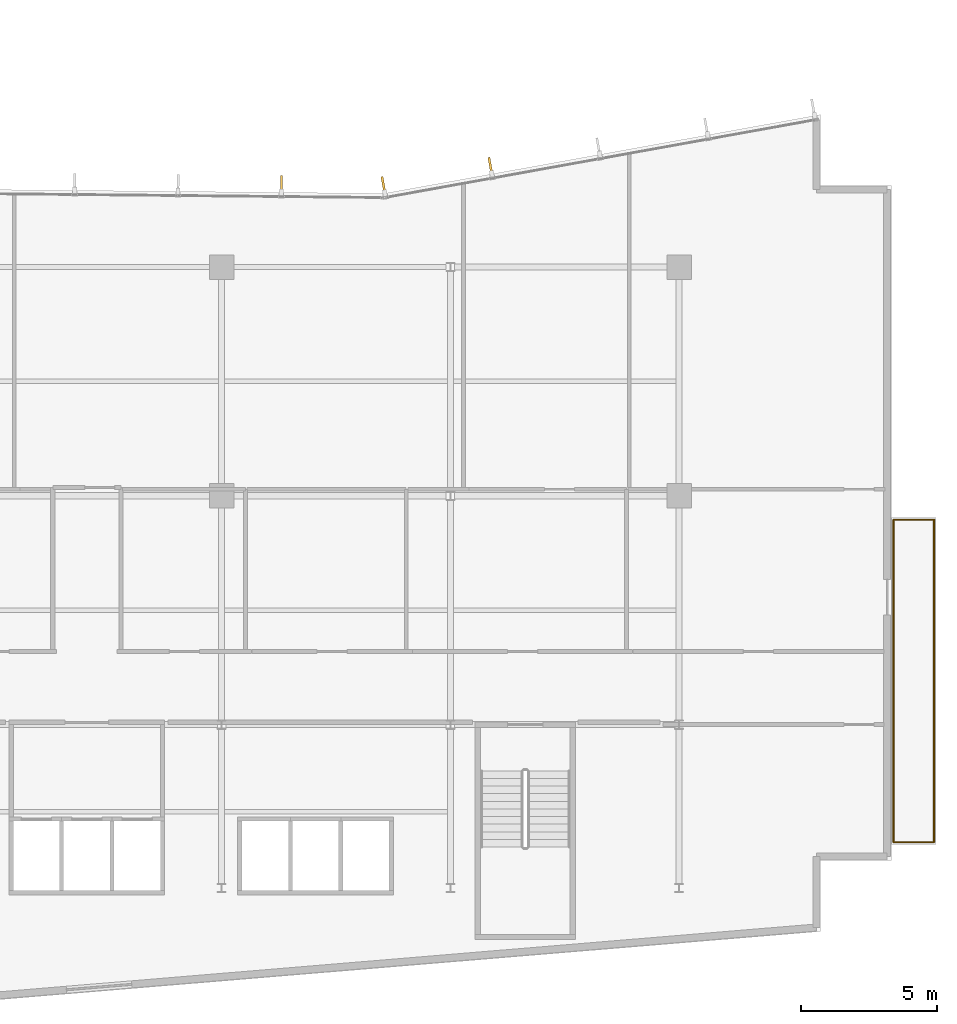
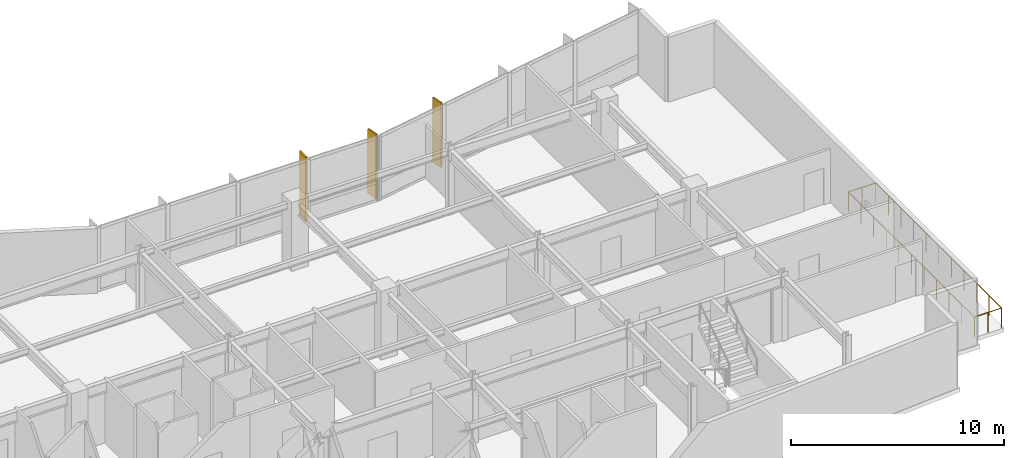
# One storey, part 16 of 18: 4 railings, 3 shading devices.
"""IFC4 building model written with IfcOpenShell, lengths in metres."""

import ifcopenshell
import ifcopenshell.guid

model = None  # the IFC model being written
_history = None  # IfcOwnerHistory: only IFC2X3 demands one
_inside = {}  # id of a spatial element -> (the spatial element, [elements in it])
_under = {}  # id of a project, library or spatial element -> (it, [spatial elements below it])
_declared = {}  # id of a project -> (the project, [libraries it declares])
_typed = {}  # id of a type object -> (the type object, [elements of that type])
_made_of = {}  # id of a material, layer set ... -> (it, [elements and type objects made of it])


def new_model(schema):
    """Start an empty IFC model of exactly this schema.

    Asked for "IFC4X3", IfcOpenShell would pick the latest addendum, in which some entities
    have other attributes; the version numbers below select the first issue.
    IFC2X3 requires an IfcOwnerHistory on every rooted entity: one is made here for all.
    """
    global model, _history
    if schema == "IFC4X3":
        model = ifcopenshell.file(schema_version=(4, 3, 0, 0))
    else:
        model = ifcopenshell.file(schema=schema)
    _inside.clear()
    _under.clear()
    _declared.clear()
    _typed.clear()
    _made_of.clear()
    _history = None
    if model.schema == "IFC2X3":
        org = make("IfcOrganization", Name="unknown")
        user = make(
            "IfcPersonAndOrganization",
            ThePerson=make("IfcPerson", FamilyName="unknown"),
            TheOrganization=org,
        )
        app = make(
            "IfcApplication",
            ApplicationDeveloper=org,
            Version="unknown",
            ApplicationFullName="unknown",
            ApplicationIdentifier="unknown",
        )
        _history = make(
            "IfcOwnerHistory",
            OwningUser=user,
            OwningApplication=app,
            ChangeAction="ADDED",
            CreationDate=0,
        )
    return model


def make(cls, **values):
    """One entity of the class cls with the attributes given. An attribute that is None is left unset."""
    return model.create_entity(
        cls, **{name: value for name, value in values.items() if value is not None}
    )


def rooted(cls, **values):
    """An entity with a GlobalId (a new one), such as an element, a storey or a relation."""
    return make(cls, GlobalId=ifcopenshell.guid.new(), OwnerHistory=_history, **values)


def si_unit(unit_type, name, prefix=None):
    """IfcSIUnit, for example si_unit("LENGTHUNIT", "METRE", prefix="MILLI")."""
    return make("IfcSIUnit", UnitType=unit_type, Prefix=prefix, Name=name)


def assignment(units):
    """IfcUnitAssignment: the units of a project."""
    return None if units is None else make("IfcUnitAssignment", Units=units)


def point(xyz):
    """IfcCartesianPoint."""
    return None if xyz is None else make("IfcCartesianPoint", Coordinates=xyz)


def direction(xyz):
    """IfcDirection."""
    return None if xyz is None else make("IfcDirection", DirectionRatios=xyz)


def frame(location, z_axis=None, x_axis=None):
    """IfcAxis2Placement3D, a coordinate frame: its origin and axes. An axis left out is left unset."""
    return make(
        "IfcAxis2Placement3D",
        Location=point(location),
        Axis=direction(z_axis),
        RefDirection=direction(x_axis),
    )


def frame_2d(location, x_axis=None):
    """IfcAxis2Placement2D, a coordinate frame in the plane: its origin and x axis."""
    return make(
        "IfcAxis2Placement2D", Location=point(location), RefDirection=direction(x_axis)
    )


def origin():
    """The frame at (0, 0, 0) with its axes left unset."""
    return frame((0.0, 0.0, 0.0))


def origin_2d():
    """The frame at (0, 0) in the plane with its x axis left unset."""
    return frame_2d((0.0, 0.0))


def place(relative_to, where):
    """IfcLocalPlacement: puts the frame where relative to a parent placement (None: the world)."""
    return make(
        "IfcLocalPlacement", PlacementRelTo=relative_to, RelativePlacement=where
    )


def context(
    kind, dimensions, precision=None, world=None, true_north=None, identifier=None
):
    """IfcGeometricRepresentationContext, for example the 3D "Model" context."""
    return make(
        "IfcGeometricRepresentationContext",
        ContextIdentifier=identifier,
        ContextType=kind,
        CoordinateSpaceDimension=dimensions,
        Precision=precision,
        WorldCoordinateSystem=world,
        TrueNorth=true_north,
    )


def subcontext(parent, identifier, kind, view, scale=None):
    """IfcGeometricRepresentationSubContext, for example "Body" below "Model"."""
    return make(
        "IfcGeometricRepresentationSubContext",
        ContextIdentifier=identifier,
        ContextType=kind,
        ParentContext=parent,
        TargetScale=scale,
        TargetView=view,
    )


def project(units=None, contexts=None):
    """IfcProject with its units and contexts."""
    return rooted(
        "IfcProject",
        Name="project",
        RepresentationContexts=contexts,
        UnitsInContext=assignment(units),
    )


def spatial(cls, under=None, at=None, **own):
    """A site, building, storey or space (cls), placed at a placement, below another one or the project."""
    s = rooted(cls, ObjectPlacement=at, **own)
    if under is not None:
        _under.setdefault(under.id(), (under, []))[1].append(s)
    return s


def profile(cls, at=None, kind="AREA", **sizes):
    """A parametric profile (cls). Its sizes go by their IFC names, for example OverallWidth=200.0."""
    return make(cls, ProfileType=kind, Position=at, **sizes)


def rectangle(**sizes):
    """IfcRectangleProfileDef."""
    return profile("IfcRectangleProfileDef", **sizes)


def circle(**sizes):
    """IfcCircleProfileDef."""
    return profile("IfcCircleProfileDef", **sizes)


def extrude(swept, where, along, depth):
    """IfcExtrudedAreaSolid: the profile swept, set in the frame where, extruded along a direction by depth."""
    return make(
        "IfcExtrudedAreaSolid",
        SweptArea=swept,
        Position=where,
        ExtrudedDirection=direction(along),
        Depth=depth,
    )


def shape(context_of_items, identifier, shape_type, items):
    """IfcShapeRepresentation: the items that make up one representation, for example the "Body"."""
    return make(
        "IfcShapeRepresentation",
        ContextOfItems=context_of_items,
        RepresentationIdentifier=identifier,
        RepresentationType=shape_type,
        Items=items,
    )


def material(Name=None, Category=None):
    """IfcMaterial."""
    return make("IfcMaterial", Name=Name, Category=Category)


def layer(
    of_material, thickness, ventilated=None, Name=None, Category=None, Priority=None
):
    """IfcMaterialLayer: one layer of a wall or slab, of a material (None: an air gap)."""
    return make(
        "IfcMaterialLayer",
        Material=of_material,
        LayerThickness=thickness,
        IsVentilated=ventilated,
        Name=Name,
        Category=Category,
        Priority=Priority,
    )


def layer_set(layers, Name=None):
    """IfcMaterialLayerSet."""
    return make("IfcMaterialLayerSet", MaterialLayers=layers, LayerSetName=Name)


def made_of(thing, what):
    """Note that an element or type object is made of a material, layer set ...; save() writes the relation."""
    if what is not None:
        _made_of.setdefault(what.id(), (what, []))[1].append(thing)
    return thing


def type_object(cls, material=None, **own):
    """A type object (cls), such as IfcWallType, which elements share."""
    return made_of(rooted(cls, **own), material)


def element(
    cls,
    number,
    at=None,
    inside=None,
    cuts=None,
    type_object=None,
    material=None,
    context=None,
    identifier="Body",
    shape_type=None,
    held_by="IfcProductDefinitionShape",
    body=None,
    shapes=None,
    **own,
):
    """One element of the class cls, such as IfcWall. Its Tag is "e" and its number.

    at: its placement. inside: the storey or other place that contains it. cuts: it is an
    opening in that element (IfcRelVoidsElement). A single representation is given by context,
    identifier, shape_type and body (its items); several are given by shapes. held_by: the class
    of the entity that holds the representations. save() writes the other relations.
    """
    e = rooted(cls, Tag="e%d" % number, ObjectPlacement=at, **own)
    if body is not None:
        shapes = [shape(context, identifier, shape_type, body)]
    if shapes is not None:
        e.Representation = make(held_by, Representations=shapes)
    if inside is not None:
        _inside.setdefault(inside.id(), (inside, []))[1].append(e)
    if cuts is not None:
        rooted(
            "IfcRelVoidsElement", RelatingBuildingElement=cuts, RelatedOpeningElement=e
        )
    if type_object is not None:
        _typed.setdefault(type_object.id(), (type_object, []))[1].append(e)
    return made_of(e, material)


def aggregate(whole, parts):
    """IfcRelAggregates: a whole, such as a stair, and the parts it consists of."""
    return rooted("IfcRelAggregates", RelatingObject=whole, RelatedObjects=parts)


def save(model, path):
    """Write the relations noted so far, then the file.

    IfcRelAggregates (storeys below a building ...), IfcRelContainedInSpatialStructure (elements
    in a storey), IfcRelDefinesByType, IfcRelAssociatesMaterial and IfcRelDeclares: one each for
    every whole, place, type object, material and project.
    """
    for whole, parts in _under.values():
        aggregate(whole, parts)
    for where, things in _inside.values():
        rooted(
            "IfcRelContainedInSpatialStructure",
            RelatedElements=things,
            RelatingStructure=where,
        )
    for kind, things in _typed.values():
        rooted("IfcRelDefinesByType", RelatedObjects=things, RelatingType=kind)
    for what, things in _made_of.values():
        rooted("IfcRelAssociatesMaterial", RelatedObjects=things, RelatingMaterial=what)
    for by, libraries in _declared.values():
        rooted("IfcRelDeclares", RelatingContext=by, RelatedDefinitions=libraries)
    model.write(path)


model = new_model("IFC4")

# Units and contexts
model_context = context("Model", 3, precision=1e-05, world=origin(), true_north=direction((0.0, 1.0)))
body_context = subcontext(model_context, "Body", "Model", "MODEL_VIEW")
ifc_project = project(units=[si_unit("LENGTHUNIT", "METRE"), si_unit("AREAUNIT", "SQUARE_METRE"), si_unit("VOLUMEUNIT", "CUBIC_METRE"), si_unit("PLANEANGLEUNIT", "RADIAN"), si_unit("MASSUNIT", "GRAM", prefix="KILO")], contexts=[model_context])

# Site, building, storey
site_placement = place(None, origin())
site = spatial("IfcSite", under=ifc_project, at=site_placement, CompositionType="ELEMENT")
building_placement = place(site_placement, origin())
building = spatial("IfcBuilding", under=site, at=building_placement, Name="Varnakote Quay Hospital", CompositionType="ELEMENT")
storey_placement = place(building_placement, frame((0.0, 0.0, 69.89990234375)))
storey = spatial("IfcBuildingStorey", under=building, at=storey_placement, Name="L17", CompositionType="ELEMENT", Elevation=69.89990234375)

# Railings
ifc_material_1 = material(Name="Anodised aluminium 6063-T6 Bronze", Category="aluminium")
railing_type = type_object("IfcRailingType", Name="RLG-EXT-GUARD-1150", PredefinedType="GUARDRAIL", material=ifc_material_1)
railing_1_placement = place(storey_placement, frame((58.27587890625, 19.52001953125, 0.0)))
element("IfcRailing", 1, at=railing_1_placement, inside=storey, type_object=railing_type, Name="L17 Zigzag Prow Healing Terrace Safety Guard", PredefinedType="GUARDRAIL", context=body_context, shape_type="SweptSolid", body=[
    extrude(circle(Radius=0.02392578125, at=origin_2d()), frame((0.0, 0.0, 1.1259765625), z_axis=(1.0, 0.0, 0.0), x_axis=(0.0, 1.0, 0.0)), (0.0, 0.0, 1.0), 1.484130859375),
    extrude(circle(Radius=0.02099609375, at=origin_2d()), origin(), (0.0, 0.0, 1.0), 1.101806640625),
    extrude(circle(Radius=0.02099609375, at=origin_2d()), frame((0.7421875, 0.0, 0.0)), (0.0, 0.0, 1.0), 1.101806640625),
    extrude(circle(Radius=0.02099609375, at=origin_2d()), frame((1.484130859375, 0.0, 0.0)), (0.0, 0.0, 1.0), 1.101806640625),
])
railing_2_placement = place(storey_placement, frame((59.760009765625, 19.52001953125, 0.0)))
element("IfcRailing", 2, at=railing_2_placement, inside=storey, type_object=railing_type, Name="L17 Zigzag Prow Healing Terrace Safety Guard", PredefinedType="GUARDRAIL", context=body_context, shape_type="SweptSolid", body=[
    extrude(circle(Radius=0.02392578125, at=origin_2d()), frame((0.0, 0.0, 1.1259765625), z_axis=(0.0, -1.0, 0.0), x_axis=(1.0, 0.0, 0.0)), (0.0, 0.0, 1.0), 11.840087890625),
    extrude(circle(Radius=0.02099609375, at=origin_2d()), origin(), (0.0, 0.0, 1.0), 1.101806640625),
    extrude(circle(Radius=0.02099609375, at=origin_2d()), frame((0.0, -1.18408203125, 0.0)), (0.0, 0.0, 1.0), 1.101806640625),
    extrude(circle(Radius=0.02099609375, at=origin_2d()), frame((0.0, -2.367919921875, 0.0)), (0.0, 0.0, 1.0), 1.101806640625),
    extrude(circle(Radius=0.02099609375, at=origin_2d()), frame((0.0, -3.552001953125, 0.0)), (0.0, 0.0, 1.0), 1.101806640625),
    extrude(circle(Radius=0.02099609375, at=origin_2d()), frame((0.0, -4.736083984375, 0.0)), (0.0, 0.0, 1.0), 1.101806640625),
    extrude(circle(Radius=0.02099609375, at=origin_2d()), frame((0.0, -5.919921875, 0.0)), (0.0, 0.0, 1.0), 1.101806640625),
    extrude(circle(Radius=0.02099609375, at=origin_2d()), frame((0.0, -7.10400390625, 0.0)), (0.0, 0.0, 1.0), 1.101806640625),
    extrude(circle(Radius=0.02099609375, at=origin_2d()), frame((0.0, -8.2880859375, 0.0)), (0.0, 0.0, 1.0), 1.101806640625),
    extrude(circle(Radius=0.02099609375, at=origin_2d()), frame((0.0, -9.47216796875, 0.0)), (0.0, 0.0, 1.0), 1.101806640625),
    extrude(circle(Radius=0.02099609375, at=origin_2d()), frame((0.0, -10.656005859375, 0.0)), (0.0, 0.0, 1.0), 1.101806640625),
    extrude(circle(Radius=0.02099609375, at=origin_2d()), frame((0.0, -11.840087890625, 0.0)), (0.0, 0.0, 1.0), 1.101806640625),
])
railing_3_placement = place(storey_placement, frame((59.760009765625, 7.679931640625, 0.0)))
element("IfcRailing", 3, at=railing_3_placement, inside=storey, type_object=railing_type, Name="L17 Zigzag Prow Healing Terrace Safety Guard", PredefinedType="GUARDRAIL", context=body_context, shape_type="SweptSolid", body=[
    extrude(circle(Radius=0.02392578125, at=origin_2d()), frame((0.0, 0.0, 1.1259765625), z_axis=(-1.0, 0.0, 0.0), x_axis=(0.0, -1.0, 0.0)), (0.0, 0.0, 1.0), 1.484130859375),
    extrude(circle(Radius=0.02099609375, at=origin_2d()), origin(), (0.0, 0.0, 1.0), 1.101806640625),
    extrude(circle(Radius=0.02099609375, at=origin_2d()), frame((-0.7421875, 0.0, 0.0)), (0.0, 0.0, 1.0), 1.101806640625),
    extrude(circle(Radius=0.02099609375, at=origin_2d()), frame((-1.484130859375, 0.0, 0.0)), (0.0, 0.0, 1.0), 1.101806640625),
])
railing_4_placement = place(storey_placement, frame((58.27587890625, 7.679931640625, 0.0)))
element("IfcRailing", 4, at=railing_4_placement, inside=storey, type_object=railing_type, Name="L17 Zigzag Prow Healing Terrace Safety Guard", PredefinedType="GUARDRAIL", context=body_context, shape_type="SweptSolid", body=[
    extrude(circle(Radius=0.02392578125, at=origin_2d()), frame((0.0, 0.0, 1.1259765625), z_axis=(0.0, 1.0, 0.0), x_axis=(-1.0, 0.0, 0.0)), (0.0, 0.0, 1.0), 11.840087890625),
    extrude(circle(Radius=0.02099609375, at=origin_2d()), origin(), (0.0, 0.0, 1.0), 1.101806640625),
    extrude(circle(Radius=0.02099609375, at=origin_2d()), frame((0.0, 1.18408203125, 0.0)), (0.0, 0.0, 1.0), 1.101806640625),
    extrude(circle(Radius=0.02099609375, at=origin_2d()), frame((0.0, 2.367919921875, 0.0)), (0.0, 0.0, 1.0), 1.101806640625),
    extrude(circle(Radius=0.02099609375, at=origin_2d()), frame((0.0, 3.552001953125, 0.0)), (0.0, 0.0, 1.0), 1.101806640625),
    extrude(circle(Radius=0.02099609375, at=origin_2d()), frame((0.0, 4.736083984375, 0.0)), (0.0, 0.0, 1.0), 1.101806640625),
    extrude(circle(Radius=0.02099609375, at=origin_2d()), frame((0.0, 5.919921875, 0.0)), (0.0, 0.0, 1.0), 1.101806640625),
    extrude(circle(Radius=0.02099609375, at=origin_2d()), frame((0.0, 7.10400390625, 0.0)), (0.0, 0.0, 1.0), 1.101806640625),
    extrude(circle(Radius=0.02099609375, at=origin_2d()), frame((0.0, 8.2880859375, 0.0)), (0.0, 0.0, 1.0), 1.101806640625),
    extrude(circle(Radius=0.02099609375, at=origin_2d()), frame((0.0, 9.47216796875, 0.0)), (0.0, 0.0, 1.0), 1.101806640625),
    extrude(circle(Radius=0.02099609375, at=origin_2d()), frame((0.0, 10.656005859375, 0.0)), (0.0, 0.0, 1.0), 1.101806640625),
    extrude(circle(Radius=0.02099609375, at=origin_2d()), frame((0.0, 11.840087890625, 0.0)), (0.0, 0.0, 1.0), 1.101806640625),
])

# Shading devices
ifc_material_2 = material(Name="Anodised aluminium 6063-T6 Bronze", Category="aluminium")
ifc_layer = layer(ifc_material_2, 0.0849609375)
ifc_layer_set = layer_set([ifc_layer], Name="Anodised aluminium 6063-T6 Bronze")
shading_device_type = type_object("IfcShadingDeviceType", Name="SHD-BRONZE-FIN-620", PredefinedType="USERDEFINED", material=ifc_layer_set)
for number, where, z_axis, x_axis, name in (
    (5, (43.468505859375, 32.522705078125, 0.0), (0.0, 0.0, 1.0), (0.177771795263, -0.984071739666, 0.0), "L17 Anodised Bronze Vertical Shading FIN"),
    (6, (39.54296875, 31.81298828125, 0.0), (0.0, 0.0, 1.0), (0.177771795263, -0.984071739666, 0.0), "L17 Anodised Bronze Vertical Shading FIN"),
    (7, (35.798583984375, 31.85107421875, 0.0), (0.0, 0.0, 1.0), (-0.009773688199, -0.999952236369, 0.0), "L17 Anodised Bronze Vertical Shading FIN"),
):
    element("IfcShadingDevice", number, at=place(storey_placement, frame(where, z_axis=z_axis, x_axis=x_axis)), inside=storey, type_object=shading_device_type, Name=name, ObjectType="FIN", PredefinedType="USERDEFINED", context=body_context, shape_type="SweptSolid", body=[
        extrude(rectangle(XDim=0.6201171875, YDim=0.0849609375, at=origin_2d()), origin(), (0.0, 0.0, 1.0), 3.7099609375),
    ])

save(model, "model.ifc")
